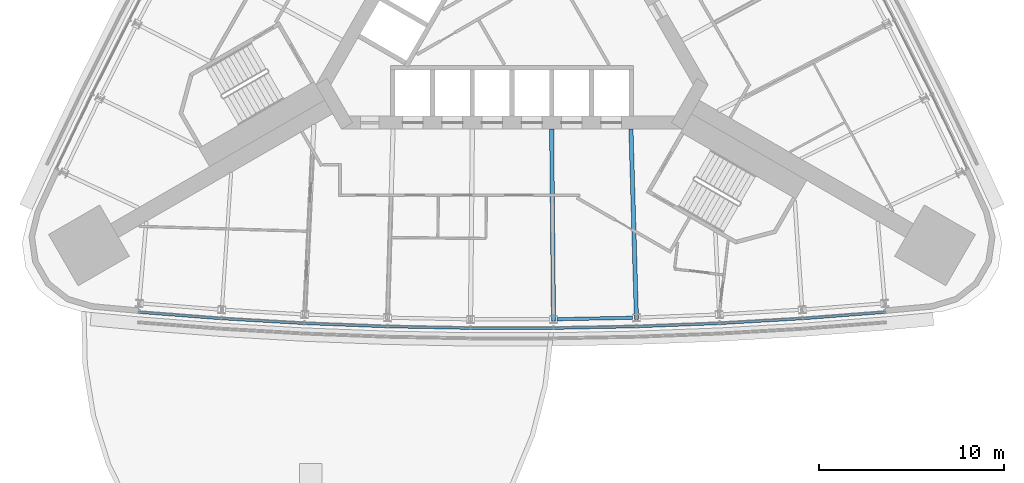
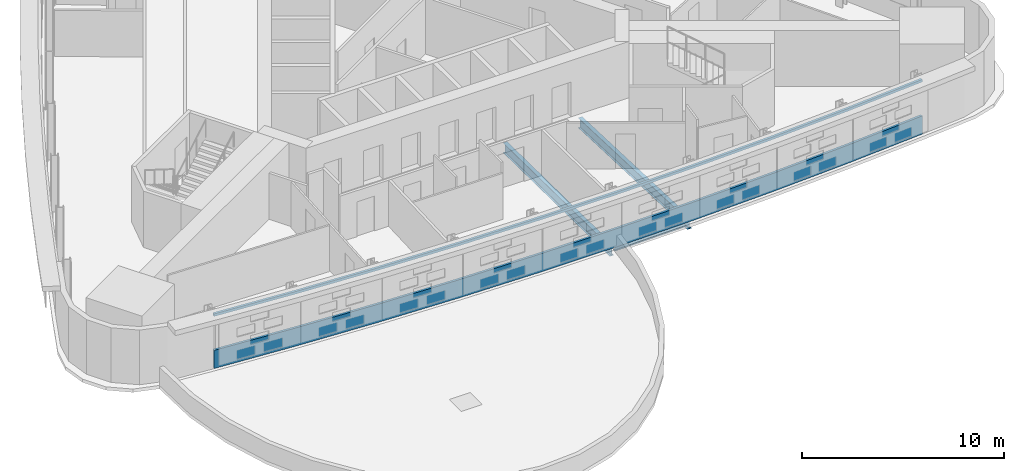
# One storey, part 3 of 15: 3 beams, 2 members, 1 element without a shape of its own.
"""IFC4 building model written with IfcOpenShell, lengths in metres."""

from ifc_helpers import new_model, si_unit, direction, frame, origin, origin_2d, place, context, subcontext, project, spatial, polyline, i_section, outline, extrude, material, material_profile, profile_set, type_object, element, aggregate, save


model = new_model("IFC4")

# Units and contexts
model_context = context("Model", 3, precision=1e-05, world=origin(), true_north=direction((0.0, 1.0)))
body_context = subcontext(model_context, "Body", "Model", "MODEL_VIEW")
ifc_project = project(units=[si_unit("LENGTHUNIT", "METRE"), si_unit("AREAUNIT", "SQUARE_METRE"), si_unit("VOLUMEUNIT", "CUBIC_METRE"), si_unit("PLANEANGLEUNIT", "RADIAN"), si_unit("MASSUNIT", "GRAM", prefix="KILO")], contexts=[model_context])

# Site, building, storey
site_placement = place(None, origin())
site = spatial("IfcSite", under=ifc_project, at=site_placement, CompositionType="ELEMENT")
building_placement = place(site_placement, origin())
building = spatial("IfcBuilding", under=site, at=building_placement, Name="Noor Cloister Tower", CompositionType="ELEMENT")
storey_placement = place(building_placement, frame((0.0, 0.0, 69.0)))
storey = spatial("IfcBuildingStorey", under=building, at=storey_placement, Name="L17", CompositionType="ELEMENT", Elevation=69.0)

# Curtain wall, member
ifc_material_1 = material(Name="Aluminium 6063-T6 anodised", Category="aluminium")
curtain_wall_type = type_object("IfcCurtainWallType", Name="Ribbon curtain wall, lower tower CW1", PredefinedType="NOTDEFINED", material=ifc_material_1)
curtain_wall_placement = place(storey_placement, origin())
curtain_wall = element("IfcCurtainWall", 1, at=curtain_wall_placement, inside=storey, type_object=curtain_wall_type, Name="CW1 L17 S run 2", PredefinedType="NOTDEFINED")
ifc_material_2 = material(Name="Aluminium 6063-T6 anodised", Category="aluminium")
member_type_1 = type_object("IfcMemberType", Name="Head transom CW1 150", PredefinedType="USERDEFINED", material=ifc_material_2)
member_1_placement = place(storey_placement, frame((0.0, 0.0, 3.14990234375)))
member_1 = element("IfcMember", 2, at=member_1_placement, type_object=member_type_1, Name="CW1 head transom", ObjectType="TRANSOM", PredefinedType="USERDEFINED", context=body_context, shape_type="SweptSolid", body=[
    extrude(outline(polyline([(-20.224609375, -16.900634765625), (-15.738037109375, -17.24755859375), (-11.24560546875, -17.508056640625), (-6.7490234375, -17.681640625), (-2.25, -17.768310546875), (2.25, -17.768310546875), (6.7490234375, -17.681640625), (11.24560546875, -17.508056640625), (15.738037109375, -17.24755859375), (20.224609375, -16.900634765625), (20.2138671875, -16.76123046875), (15.728515625, -17.10791015625), (11.23876953125, -17.3681640625), (6.7451171875, -17.54150390625), (2.24853515625, -17.62841796875), (-2.24853515625, -17.62841796875), (-6.7451171875, -17.54150390625), (-11.23876953125, -17.3681640625), (-15.728515625, -17.10791015625), (-20.2138671875, -16.76123046875), (-20.224609375, -16.900634765625)])), origin(), (0.0, 0.0, 1.0), 0.150146484375),
])

# Beams
ifc_material_3 = material(Name="Steel ASTM A992 Gr 50", Category="steel")
ifc_material_profile_1 = material_profile(ifc_material_3, i_section(OverallWidth=0.22802734375, OverallDepth=0.60205078125, WebThickness=0.010498046875, FlangeThickness=0.014892578125, FilletRadius=0.0126953125, at=origin_2d()), Name="W610x101")
ifc_profile_set_1 = profile_set([ifc_material_profile_1], Name="Steel ASTM A992 Gr 50")
beam_type_1 = type_object("IfcBeamType", Name="Radial beam W610x101", PredefinedType="BEAM", material=ifc_profile_set_1)
beam_1_placement = place(storey_placement, frame((2.24560546875, -17.3154296875, -0.5009765625), z_axis=(-0.009636181171, 0.999953570928, 0.0), x_axis=(-0.999953570928, -0.009636181171, 0.0)))
element("IfcBeam", 3, at=beam_1_placement, inside=storey, type_object=beam_type_1, Name="Radial beam S 06 L17", PredefinedType="BEAM", context=body_context, shape_type="SweptSolid", body=[
    extrude(i_section(OverallWidth=0.22802734375, OverallDepth=0.60205078125, WebThickness=0.010498046875, FlangeThickness=0.014892578125, FilletRadius=0.0126953125, at=origin_2d()), origin(), (0.0, 0.0, 1.0), 10.3876953125),
])
beam_2_placement = place(storey_placement, frame((6.73583984375, -17.228759765625, -0.5009765625), z_axis=(-0.028927710154, 0.999581506224, 0.0), x_axis=(-0.999581506224, -0.028927710154, 0.0)))
element("IfcBeam", 4, at=beam_2_placement, inside=storey, type_object=beam_type_1, Name="Radial beam S 07 L17", PredefinedType="BEAM", context=body_context, shape_type="SweptSolid", body=[
    extrude(i_section(OverallWidth=0.22802734375, OverallDepth=0.60205078125, WebThickness=0.010498046875, FlangeThickness=0.014892578125, FilletRadius=0.0126953125, at=origin_2d()), origin(), (0.0, 0.0, 1.0), 10.304931640625),
])

# Member
ifc_material_4 = material(Name="Aluminium 6063-T6 anodised", Category="aluminium")
member_type_2 = type_object("IfcMemberType", Name="Sill transom CW1 1100", PredefinedType="USERDEFINED", material=ifc_material_4)
member_2_placement = place(storey_placement, origin())
member_2 = element("IfcMember", 5, at=member_2_placement, type_object=member_type_2, Name="CW1 sill transom", ObjectType="TRANSOM", PredefinedType="USERDEFINED", context=body_context, shape_type="SweptSolid", body=[
    extrude(outline(polyline([(-20.224609375, -16.900634765625), (-15.738037109375, -17.24755859375), (-11.24560546875, -17.508056640625), (-6.7490234375, -17.681640625), (-2.25, -17.768310546875), (2.25, -17.768310546875), (6.7490234375, -17.681640625), (11.24560546875, -17.508056640625), (15.738037109375, -17.24755859375), (20.224609375, -16.900634765625), (20.2138671875, -16.76123046875), (15.728515625, -17.10791015625), (11.23876953125, -17.3681640625), (6.7451171875, -17.54150390625), (2.24853515625, -17.62841796875), (-2.24853515625, -17.62841796875), (-6.7451171875, -17.54150390625), (-11.23876953125, -17.3681640625), (-15.728515625, -17.10791015625), (-20.2138671875, -16.76123046875), (-20.224609375, -16.900634765625)])), origin(), (0.0, 0.0, 1.0), 1.10009765625),
])

aggregate(curtain_wall, [member_2, member_1])

# Beam
ifc_material_5 = material(Name="Steel ASTM A992 Gr 50", Category="steel")
ifc_material_profile_2 = material_profile(ifc_material_5, i_section(OverallWidth=0.177978515625, OverallDepth=0.406005859375, WebThickness=0.0078125, FlangeThickness=0.0126953125, FilletRadius=0.01025390625, at=origin_2d()), Name="W410x60")
ifc_profile_set_2 = profile_set([ifc_material_profile_2], Name="Steel ASTM A992 Gr 50")
beam_type_2 = type_object("IfcBeamType", Name="Spandrel beam W410x60", PredefinedType="SPANDREL", material=ifc_profile_set_2)
beam_3_placement = place(storey_placement, frame((2.446533203125, -17.21435546875, -0.403076171875), z_axis=(0.999814852725, 0.019242148262, 0.0), x_axis=(-0.019242148262, 0.999814852725, 0.0)))
element("IfcBeam", 6, at=beam_3_placement, inside=storey, type_object=beam_type_2, Name="Spandrel beam S 06 L17", PredefinedType="SPANDREL", context=body_context, shape_type="SweptSolid", body=[
    extrude(i_section(OverallWidth=0.177978515625, OverallDepth=0.406005859375, WebThickness=0.0078125, FlangeThickness=0.0126953125, FilletRadius=0.01025390625, at=origin_2d()), origin(), (0.0, 0.0, 1.0), 4.08544921875),
])

save(model, "model.ifc")
